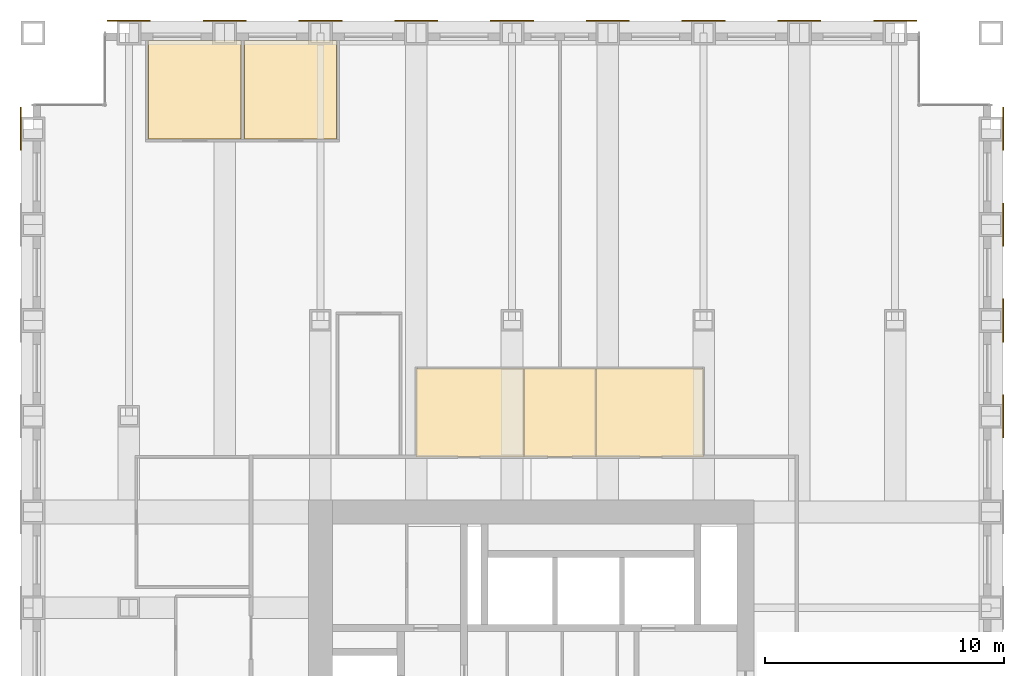
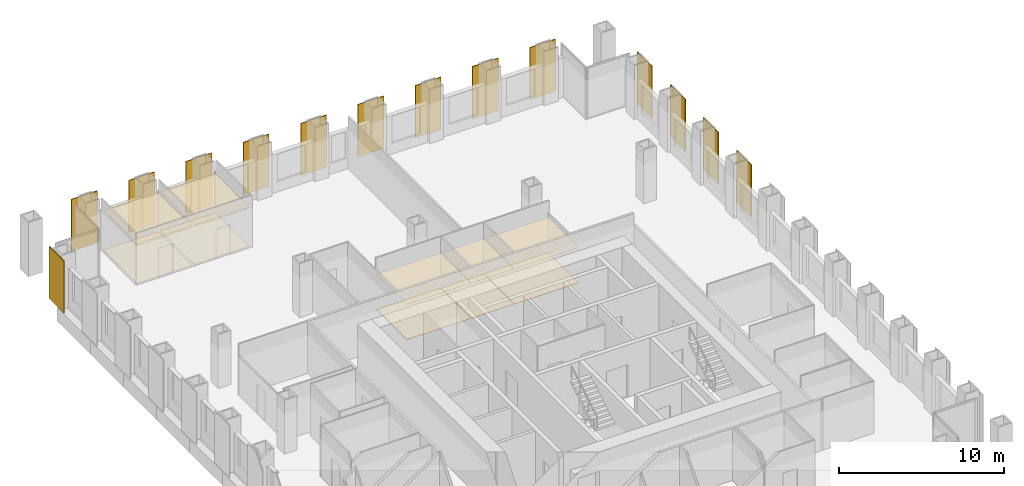
# One storey, part 14 of 14: 14 shading devices, 10 coverings.
"""IFC4 building model written with IfcOpenShell, lengths in metres."""

from ifc_helpers import new_model, si_unit, direction, frame, origin, origin_2d, place, context, subcontext, project, spatial, polyline, rectangle, outline, extrude, material, layer, layer_set, type_object, element, save


model = new_model("IFC4")

# Units and contexts
model_context = context("Model", 3, precision=1e-05, world=origin(), true_north=direction((0.0, 1.0)))
body_context = subcontext(model_context, "Body", "Model", "MODEL_VIEW")
ifc_project = project(units=[si_unit("LENGTHUNIT", "METRE"), si_unit("AREAUNIT", "SQUARE_METRE"), si_unit("VOLUMEUNIT", "CUBIC_METRE"), si_unit("PLANEANGLEUNIT", "RADIAN"), si_unit("MASSUNIT", "GRAM", prefix="KILO")], contexts=[model_context])

# Site, building, storey
site_placement = place(None, origin())
site = spatial("IfcSite", under=ifc_project, at=site_placement, CompositionType="ELEMENT")
building_placement = place(site_placement, origin())
building = spatial("IfcBuilding", under=site, at=building_placement, Name="Rimbunsela Tower", CompositionType="ELEMENT")
storey_placement = place(building_placement, frame((0.0, 0.0, 183.800048828125)))
storey = spatial("IfcBuildingStorey", under=building, at=storey_placement, Name="L44", CompositionType="ELEMENT", Elevation=183.800048828125)

# Coverings
ifc_material_1 = material(Name="Nylon carpet tile", Category="textile")
ifc_layer_1 = layer(ifc_material_1, 0.010009765625)
ifc_layer_set_1 = layer_set([ifc_layer_1], Name="Carpet tile 10")
covering_type_1 = type_object("IfcCoveringType", Name="Carpet tile 10", PredefinedType="FLOORING", material=ifc_layer_set_1)
covering_1_placement = place(storey_placement, origin())
element("IfcCovering", 1, at=covering_1_placement, inside=storey, type_object=covering_type_1, Name="Floor finish Executive office", PredefinedType="FLOORING", context=body_context, shape_type="SweptSolid", body=[
    extrude(outline(polyline([(14.675048828125, 51.574951171875), (14.675048828125, 55.699951171875), (10.824951171875, 55.699951171875), (10.824951171875, 51.574951171875), (14.675048828125, 51.574951171875)])), origin(), (0.0, 0.0, 1.0), 0.010009765625),
])
covering_2_placement = place(storey_placement, origin())
element("IfcCovering", 2, at=covering_2_placement, inside=storey, type_object=covering_type_1, Name="Floor finish Executive office", PredefinedType="FLOORING", context=body_context, shape_type="SweptSolid", body=[
    extrude(outline(polyline([(18.675048828125, 51.574951171875), (18.675048828125, 55.699951171875), (14.824951171875, 55.699951171875), (14.824951171875, 51.574951171875), (18.675048828125, 51.574951171875)])), origin(), (0.0, 0.0, 1.0), 0.010009765625),
])
ifc_material_2 = material(Name="Mineral fibre ceiling tile", Category="gypsum")
ifc_layer_2 = layer(ifc_material_2, 0.02001953125)
ifc_layer_set_2 = layer_set([ifc_layer_2], Name="Ceiling 600 grid")
covering_type_2 = type_object("IfcCoveringType", Name="Ceiling 600 grid", PredefinedType="CEILING", material=ifc_layer_set_2)
covering_3_placement = place(storey_placement, frame((0.0, 0.0, 2.89990234375)))
element("IfcCovering", 3, at=covering_3_placement, inside=storey, type_object=covering_type_2, Name="Ceiling Executive office", PredefinedType="CEILING", context=body_context, shape_type="SweptSolid", body=[
    extrude(outline(polyline([(14.675048828125, 51.574951171875), (14.675048828125, 55.699951171875), (10.824951171875, 55.699951171875), (10.824951171875, 51.574951171875), (14.675048828125, 51.574951171875)])), origin(), (0.0, 0.0, 1.0), 0.02001953125),
])
covering_4_placement = place(storey_placement, frame((0.0, 0.0, 2.89990234375)))
element("IfcCovering", 4, at=covering_4_placement, inside=storey, type_object=covering_type_2, Name="Ceiling Executive office", PredefinedType="CEILING", context=body_context, shape_type="SweptSolid", body=[
    extrude(outline(polyline([(18.675048828125, 51.574951171875), (18.675048828125, 55.699951171875), (14.824951171875, 55.699951171875), (14.824951171875, 51.574951171875), (18.675048828125, 51.574951171875)])), origin(), (0.0, 0.0, 1.0), 0.02001953125),
])
ifc_material_3 = material(Name="Moisture-resistant plasterboard ceiling", Category="gypsum")
ifc_layer_3 = layer(ifc_material_3, 0.012451171875)
ifc_layer_set_3 = layer_set([ifc_layer_3], Name="Ceiling moisture-resistant board")
covering_type_3 = type_object("IfcCoveringType", Name="Ceiling moisture-resistant board", PredefinedType="CEILING", material=ifc_layer_set_3)
covering_5_placement = place(storey_placement, frame((0.0, 0.0, 2.599853515625)))
element("IfcCovering", 5, at=covering_5_placement, inside=storey, type_object=covering_type_3, Name="Ceiling Female WC", PredefinedType="CEILING", context=body_context, shape_type="SweptSolid", body=[
    extrude(outline(polyline([(26.5, 38.300048828125), (26.5, 42.0), (22.0, 42.0), (22.0, 38.300048828125), (26.5, 38.300048828125)])), origin(), (0.0, 0.0, 1.0), 0.02001953125),
])
covering_6_placement = place(storey_placement, frame((0.0, 0.0, 2.599853515625)))
element("IfcCovering", 6, at=covering_6_placement, inside=storey, type_object=covering_type_3, Name="Ceiling Accessible WC", PredefinedType="CEILING", context=body_context, shape_type="SweptSolid", body=[
    extrude(outline(polyline([(29.5, 38.300048828125), (29.5, 42.0), (26.5, 42.0), (26.5, 38.300048828125), (29.5, 38.300048828125)])), origin(), (0.0, 0.0, 1.0), 0.02001953125),
])
covering_7_placement = place(storey_placement, frame((0.0, 0.0, 2.599853515625)))
element("IfcCovering", 7, at=covering_7_placement, inside=storey, type_object=covering_type_3, Name="Ceiling Male WC", PredefinedType="CEILING", context=body_context, shape_type="SweptSolid", body=[
    extrude(outline(polyline([(34.0, 38.300048828125), (34.0, 42.0), (29.5, 42.0), (29.5, 38.300048828125), (34.0, 38.300048828125)])), origin(), (0.0, 0.0, 1.0), 0.02001953125),
])
ifc_material_4 = material(Name="Porcelain floor tile in adhesive bed", Category="ceramic")
ifc_layer_4 = layer(ifc_material_4, 0.02001953125)
ifc_layer_set_4 = layer_set([ifc_layer_4], Name="Porcelain tile 20")
covering_type_4 = type_object("IfcCoveringType", Name="Porcelain tile 20", PredefinedType="FLOORING", material=ifc_layer_set_4)
covering_8_placement = place(storey_placement, origin())
element("IfcCovering", 8, at=covering_8_placement, inside=storey, type_object=covering_type_4, Name="Floor finish Female WC", PredefinedType="FLOORING", context=body_context, shape_type="SweptSolid", body=[
    extrude(outline(polyline([(26.5, 38.300048828125), (26.5, 42.0), (22.0, 42.0), (22.0, 38.300048828125), (26.5, 38.300048828125)])), origin(), (0.0, 0.0, 1.0), 0.02001953125),
])
covering_9_placement = place(storey_placement, origin())
element("IfcCovering", 9, at=covering_9_placement, inside=storey, type_object=covering_type_4, Name="Floor finish Accessible WC", PredefinedType="FLOORING", context=body_context, shape_type="SweptSolid", body=[
    extrude(outline(polyline([(29.5, 38.300048828125), (29.5, 42.0), (26.5, 42.0), (26.5, 38.300048828125), (29.5, 38.300048828125)])), origin(), (0.0, 0.0, 1.0), 0.02001953125),
])
covering_10_placement = place(storey_placement, origin())
element("IfcCovering", 10, at=covering_10_placement, inside=storey, type_object=covering_type_4, Name="Floor finish Male WC", PredefinedType="FLOORING", context=body_context, shape_type="SweptSolid", body=[
    extrude(outline(polyline([(34.0, 38.300048828125), (34.0, 42.0), (29.5, 42.0), (29.5, 38.300048828125), (34.0, 38.300048828125)])), origin(), (0.0, 0.0, 1.0), 0.02001953125),
])

# Shading devices
ifc_material_5 = material(Name="Perforated aluminium, 35 % open area", Category="aluminium")
ifc_layer_5 = layer(ifc_material_5, 0.050048828125)
ifc_layer_set_5 = layer_set([ifc_layer_5], Name="Solar screen panel 1800")
shading_device_type = type_object("IfcShadingDeviceType", Name="Solar screen panel 1800", PredefinedType="USERDEFINED", material=ifc_layer_set_5)
for number, where, z_axis, x_axis, name in (
    (11, (46.52490234375, 40.0, 0.0), (0.0, 0.0, 1.0), (0.0, 1.0, 0.0), "Solar screen E L44"),
    (12, (46.52490234375, 44.0, 0.0), (0.0, 0.0, 1.0), (0.0, 1.0, 0.0), "Solar screen E L44"),
    (13, (46.52490234375, 48.0, 0.0), (0.0, 0.0, 1.0), (0.0, 1.0, 0.0), "Solar screen E L44"),
    (14, (46.52490234375, 52.0, 0.0), (0.0, 0.0, 1.0), (0.0, 1.0, 0.0), "Solar screen E L44"),
    (15, (10.0, 56.52490234375, 0.0), (0.0, 0.0, 1.0), (1.0, 0.0, 0.0), "Solar screen N L44"),
    (16, (14.0, 56.52490234375, 0.0), (0.0, 0.0, 1.0), (1.0, 0.0, 0.0), "Solar screen N L44"),
    (17, (18.0, 56.52490234375, 0.0), (0.0, 0.0, 1.0), (1.0, 0.0, 0.0), "Solar screen N L44"),
    (18, (22.0, 56.52490234375, 0.0), (0.0, 0.0, 1.0), (1.0, 0.0, 0.0), "Solar screen N L44"),
    (19, (26.0, 56.52490234375, 0.0), (0.0, 0.0, 1.0), (1.0, 0.0, 0.0), "Solar screen N L44"),
    (20, (30.0, 56.52490234375, 0.0), (0.0, 0.0, 1.0), (1.0, 0.0, 0.0), "Solar screen N L44"),
    (21, (34.0, 56.52490234375, 0.0), (0.0, 0.0, 1.0), (1.0, 0.0, 0.0), "Solar screen N L44"),
    (22, (38.0, 56.52490234375, 0.0), (0.0, 0.0, 1.0), (1.0, 0.0, 0.0), "Solar screen N L44"),
    (23, (42.0, 56.52490234375, 0.0), (0.0, 0.0, 1.0), (1.0, 0.0, 0.0), "Solar screen N L44"),
    (24, (5.47509765625, 52.0, 0.0), (0.0, 0.0, 1.0), (0.0, 1.0, 0.0), "Solar screen W L44"),
):
    element("IfcShadingDevice", number, at=place(storey_placement, frame(where, z_axis=z_axis, x_axis=x_axis)), inside=storey, type_object=shading_device_type, Name=name, ObjectType="SCREEN", PredefinedType="USERDEFINED", context=body_context, shape_type="SweptSolid", body=[
        extrude(rectangle(XDim=1.800048828125, YDim=0.050048828125, at=origin_2d()), origin(), (0.0, 0.0, 1.0), 3.85009765625),
    ])

save(model, "model.ifc")
